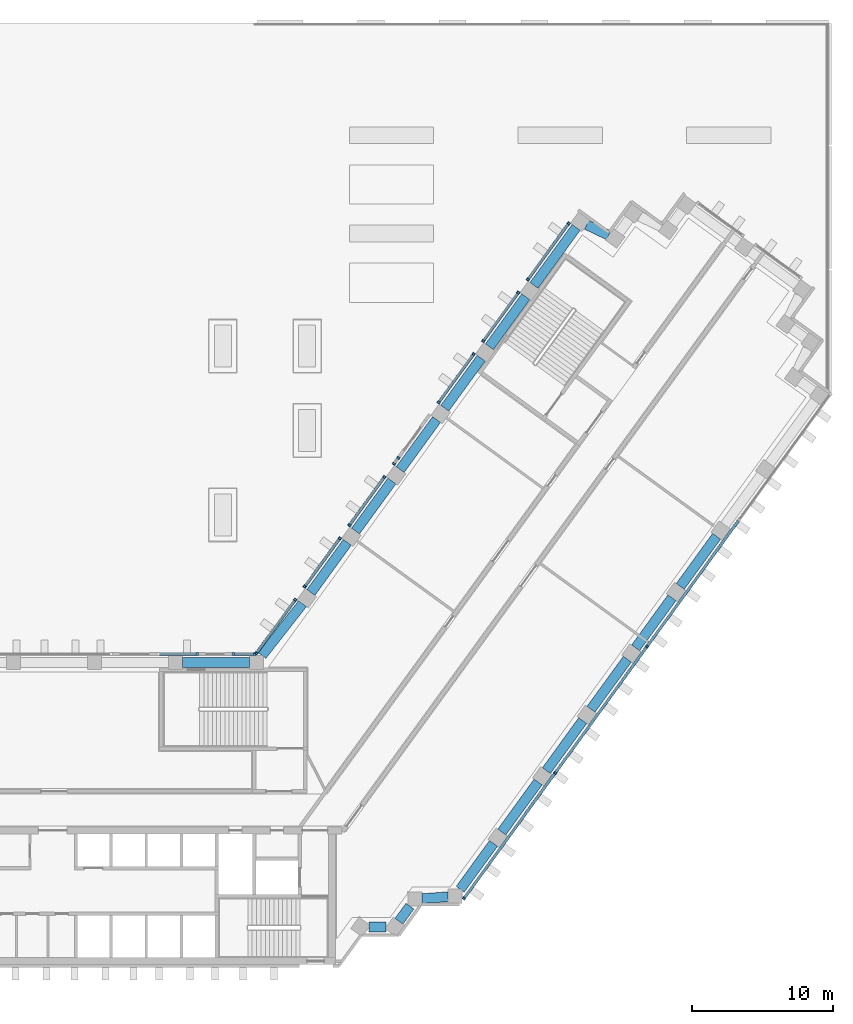
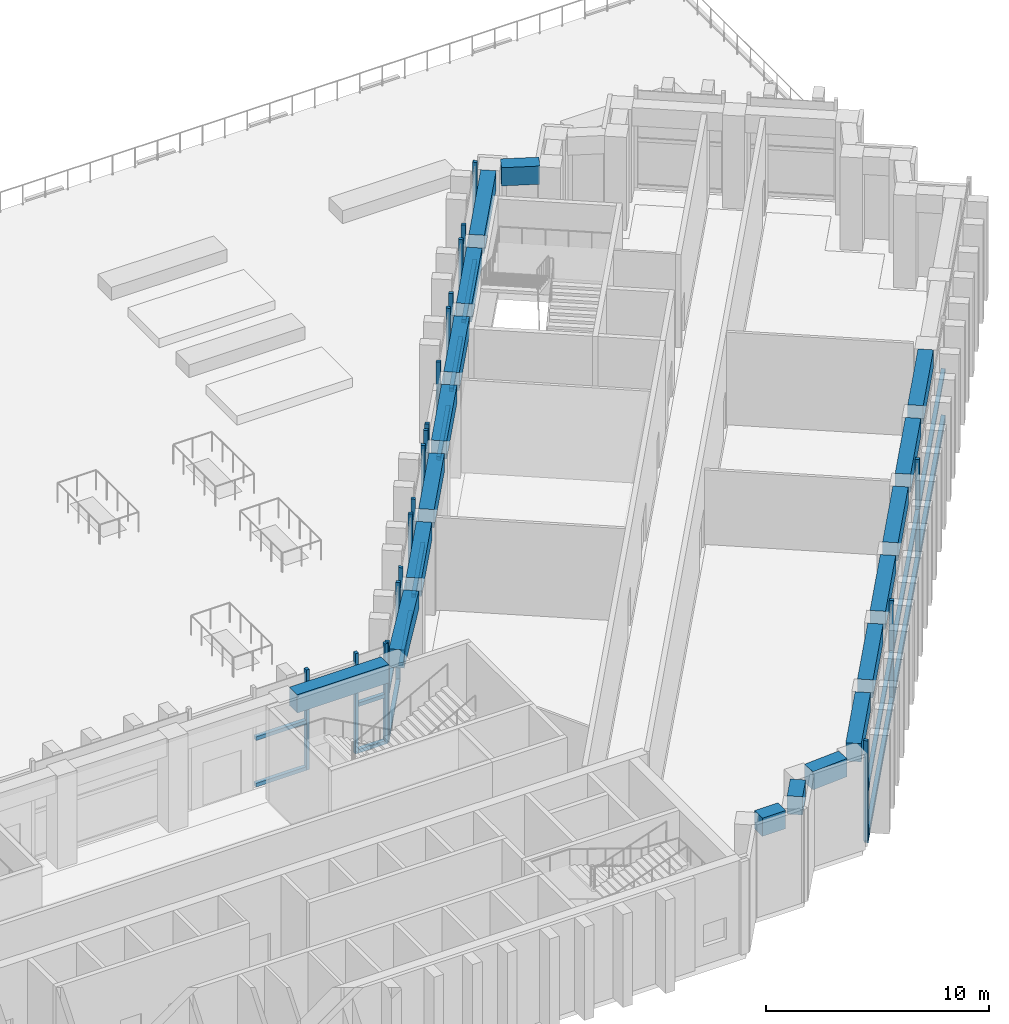
"""IFC4 building model written with IfcOpenShell, lengths in metres."""

from ifc_helpers import new_model, si_unit, direction, frame, origin, origin_2d, place, context, subcontext, project, spatial, rectangle, extrude, material, material_profile, profile_set, type_object, element, aggregate, save


model = new_model("IFC4")

# Units and contexts
model_context = context("Model", 3, precision=1e-05, world=origin(), true_north=direction((0.0, 1.0)))
body_context = subcontext(model_context, "Body", "Model", "MODEL_VIEW")
ifc_project = project(units=[si_unit("LENGTHUNIT", "METRE"), si_unit("AREAUNIT", "SQUARE_METRE"), si_unit("VOLUMEUNIT", "CUBIC_METRE"), si_unit("PLANEANGLEUNIT", "RADIAN"), si_unit("MASSUNIT", "GRAM", prefix="KILO")], contexts=[model_context])

# Site, building, storey
site_placement = place(None, origin())
site = spatial("IfcSite", under=ifc_project, at=site_placement, CompositionType="ELEMENT")
building_placement = place(site_placement, origin())
building = spatial("IfcBuilding", under=site, at=building_placement, Name="Quipu Civic Tower", CompositionType="ELEMENT")
storey_1_placement = place(building_placement, frame((0.0, 0.0, 6.0)))
storey_1 = spatial("IfcBuildingStorey", under=building, at=storey_1_placement, Name="L01", CompositionType="ELEMENT", Elevation=6.0)

# Curtain wall, members
ifc_material_1 = material(Name="Insulated glass unit", Category="glass")
curtain_wall_type_1 = type_object("IfcCurtainWallType", Name="Council chamber curtain wall CW4", PredefinedType="NOTDEFINED", material=ifc_material_1)
curtain_wall_1_placement = place(storey_1_placement, origin())
curtain_wall_1 = element("IfcCurtainWall", 1, at=curtain_wall_1_placement, inside=storey_1, type_object=curtain_wall_type_1, Name="Council chamber curtain wall CW4 L01 run 34", PredefinedType="NOTDEFINED")
ifc_material_2 = material(Name="Anodised aluminium", Category="aluminium")
ifc_material_profile_1 = material_profile(ifc_material_2, rectangle(XDim=0.199951171875, YDim=0.159912109375, at=origin_2d()), Name="RECT 200x160")
ifc_profile_set_1 = profile_set([ifc_material_profile_1], Name="Anodised aluminium")
member_type_1 = type_object("IfcMemberType", Name="Mullion CW4", PredefinedType="MULLION", material=ifc_profile_set_1)
member_1_placement = place(storey_1_placement, frame((29.15283203125, -6.28662109375, 0.10009765625), z_axis=(0.0, 0.0, 1.0), x_axis=(-0.809016918788, 0.587785356329, 0.0)))
member_1 = element("IfcMember", 2, at=member_1_placement, type_object=member_type_1, Name="CW4 mullion 1", PredefinedType="MULLION", context=body_context, shape_type="SweptSolid", body=[
    extrude(rectangle(XDim=0.199951171875, YDim=0.159912109375, at=origin_2d()), origin(), (0.0, 0.0, 1.0), 5.5),
])
member_2_placement = place(storey_1_placement, frame((35.64306640625, 2.646240234375, 0.10009765625), z_axis=(0.0, 0.0, 1.0), x_axis=(-0.809016918788, 0.587785356329, 0.0)))
member_2 = element("IfcMember", 3, at=member_2_placement, type_object=member_type_1, Name="CW4 mullion 2", PredefinedType="MULLION", context=body_context, shape_type="SweptSolid", body=[
    extrude(rectangle(XDim=0.199951171875, YDim=0.159912109375, at=origin_2d()), origin(), (0.0, 0.0, 1.0), 5.5),
])
member_3_placement = place(storey_1_placement, frame((42.179931640625, 11.6435546875, 0.10009765625), z_axis=(0.0, 0.0, 1.0), x_axis=(-0.809016918788, 0.587785356329, 0.0)))
member_3 = element("IfcMember", 4, at=member_3_placement, type_object=member_type_1, Name="CW4 mullion 3", PredefinedType="MULLION", context=body_context, shape_type="SweptSolid", body=[
    extrude(rectangle(XDim=0.199951171875, YDim=0.159912109375, at=origin_2d()), origin(), (0.0, 0.0, 1.0), 5.5),
])

curtain_wall_2_placement = place(storey_1_placement, origin())
curtain_wall_2 = element("IfcCurtainWall", 5, at=curtain_wall_2_placement, inside=storey_1, type_object=curtain_wall_type_1, Name="Council chamber curtain wall CW4 L01 run 45", PredefinedType="NOTDEFINED")
member_4_placement = place(storey_1_placement, frame((36.60009765625, 41.732421875, 0.10009765625), z_axis=(0.0, 0.0, 1.0), x_axis=(0.809018644949, -0.587782980465, 0.0)))
member_4 = element("IfcMember", 6, at=member_4_placement, type_object=member_type_1, Name="CW4 mullion 1", PredefinedType="MULLION", context=body_context, shape_type="SweptSolid", body=[
    extrude(rectangle(XDim=0.199951171875, YDim=0.159912109375, at=origin_2d()), origin(), (0.0, 0.0, 1.0), 5.5),
])
member_5_placement = place(storey_1_placement, frame((33.699462890625, 37.740234375, 0.10009765625), z_axis=(0.0, 0.0, 1.0), x_axis=(0.809018644949, -0.587782980465, 0.0)))
member_5 = element("IfcMember", 7, at=member_5_placement, type_object=member_type_1, Name="CW4 mullion 2", PredefinedType="MULLION", context=body_context, shape_type="SweptSolid", body=[
    extrude(rectangle(XDim=0.199951171875, YDim=0.159912109375, at=origin_2d()), origin(), (0.0, 0.0, 1.0), 5.5),
])

curtain_wall_3_placement = place(storey_1_placement, origin())
curtain_wall_3 = element("IfcCurtainWall", 8, at=curtain_wall_3_placement, inside=storey_1, type_object=curtain_wall_type_1, Name="Council chamber curtain wall CW4 L01 run 46", PredefinedType="NOTDEFINED")
member_6_placement = place(storey_1_placement, frame((33.017578125, 36.8017578125, 0.10009765625), z_axis=(0.0, 0.0, 1.0), x_axis=(0.809014123608, -0.587789203544, 0.0)))
member_6 = element("IfcMember", 9, at=member_6_placement, type_object=member_type_1, Name="CW4 mullion 1", PredefinedType="MULLION", context=body_context, shape_type="SweptSolid", body=[
    extrude(rectangle(XDim=0.199951171875, YDim=0.159912109375, at=origin_2d()), origin(), (0.0, 0.0, 1.0), 5.5),
])
member_7_placement = place(storey_1_placement, frame((30.525390625, 33.37158203125, 0.10009765625), z_axis=(0.0, 0.0, 1.0), x_axis=(0.809014123608, -0.587789203544, 0.0)))
member_7 = element("IfcMember", 10, at=member_7_placement, type_object=member_type_1, Name="CW4 mullion 2", PredefinedType="MULLION", context=body_context, shape_type="SweptSolid", body=[
    extrude(rectangle(XDim=0.199951171875, YDim=0.159912109375, at=origin_2d()), origin(), (0.0, 0.0, 1.0), 5.5),
])

curtain_wall_4_placement = place(storey_1_placement, origin())
curtain_wall_4 = element("IfcCurtainWall", 11, at=curtain_wall_4_placement, inside=storey_1, type_object=curtain_wall_type_1, Name="Council chamber curtain wall CW4 L01 run 47", PredefinedType="NOTDEFINED")
member_8_placement = place(storey_1_placement, frame((29.843505859375, 32.43310546875, 0.10009765625), z_axis=(0.0, 0.0, 1.0), x_axis=(0.809017078969, -0.587785135859, 0.0)))
member_8 = element("IfcMember", 12, at=member_8_placement, type_object=member_type_1, Name="CW4 mullion 1", PredefinedType="MULLION", context=body_context, shape_type="SweptSolid", body=[
    extrude(rectangle(XDim=0.199951171875, YDim=0.159912109375, at=origin_2d()), origin(), (0.0, 0.0, 1.0), 5.5),
])
member_9_placement = place(storey_1_placement, frame((27.351318359375, 29.0029296875, 0.10009765625), z_axis=(0.0, 0.0, 1.0), x_axis=(0.809017078969, -0.587785135859, 0.0)))
member_9 = element("IfcMember", 13, at=member_9_placement, type_object=member_type_1, Name="CW4 mullion 2", PredefinedType="MULLION", context=body_context, shape_type="SweptSolid", body=[
    extrude(rectangle(XDim=0.199951171875, YDim=0.159912109375, at=origin_2d()), origin(), (0.0, 0.0, 1.0), 5.5),
])

curtain_wall_5_placement = place(storey_1_placement, origin())
curtain_wall_5 = element("IfcCurtainWall", 14, at=curtain_wall_5_placement, inside=storey_1, type_object=curtain_wall_type_1, Name="Council chamber curtain wall CW4 L01 run 50", PredefinedType="NOTDEFINED")
member_10_placement = place(storey_1_placement, frame((24.478271484375, 25.048583984375, 0.10009765625), z_axis=(0.0, 0.0, 1.0), x_axis=(0.809012627105, -0.587791263278, 0.0)))
member_10 = element("IfcMember", 15, at=member_10_placement, type_object=member_type_1, Name="CW4 mullion 1", PredefinedType="MULLION", context=body_context, shape_type="SweptSolid", body=[
    extrude(rectangle(XDim=0.199951171875, YDim=0.159912109375, at=origin_2d()), origin(), (0.0, 0.0, 1.0), 5.5),
])
member_11_placement = place(storey_1_placement, frame((24.17724609375, 24.634033203125, 0.10009765625), z_axis=(0.0, 0.0, 1.0), x_axis=(0.809012627105, -0.587791263278, 0.0)))
member_11 = element("IfcMember", 16, at=member_11_placement, type_object=member_type_1, Name="CW4 mullion 2", PredefinedType="MULLION", context=body_context, shape_type="SweptSolid", body=[
    extrude(rectangle(XDim=0.199951171875, YDim=0.159912109375, at=origin_2d()), origin(), (0.0, 0.0, 1.0), 5.5),
])
aggregate(curtain_wall_5, [member_10, member_11])

curtain_wall_6_placement = place(storey_1_placement, origin())
curtain_wall_6 = element("IfcCurtainWall", 17, at=curtain_wall_6_placement, inside=storey_1, type_object=curtain_wall_type_1, Name="Council chamber curtain wall CW4 L01 run 51", PredefinedType="NOTDEFINED")
member_12_placement = place(storey_1_placement, frame((23.495361328125, 23.695556640625, 0.10009765625), z_axis=(0.0, 0.0, 1.0), x_axis=(0.809024930992, -0.587774328321, 0.0)))
member_12 = element("IfcMember", 18, at=member_12_placement, type_object=member_type_1, Name="CW4 mullion 1", PredefinedType="MULLION", context=body_context, shape_type="SweptSolid", body=[
    extrude(rectangle(XDim=0.199951171875, YDim=0.159912109375, at=origin_2d()), origin(), (0.0, 0.0, 1.0), 5.5),
])
member_13_placement = place(storey_1_placement, frame((21.00341796875, 20.265380859375, 0.10009765625), z_axis=(0.0, 0.0, 1.0), x_axis=(0.809024930992, -0.587774328321, 0.0)))
member_13 = element("IfcMember", 19, at=member_13_placement, type_object=member_type_1, Name="CW4 mullion 2", PredefinedType="MULLION", context=body_context, shape_type="SweptSolid", body=[
    extrude(rectangle(XDim=0.199951171875, YDim=0.159912109375, at=origin_2d()), origin(), (0.0, 0.0, 1.0), 5.5),
])

curtain_wall_7_placement = place(storey_1_placement, origin())
curtain_wall_7 = element("IfcCurtainWall", 20, at=curtain_wall_7_placement, inside=storey_1, type_object=curtain_wall_type_1, Name="Council chamber curtain wall CW4 L01 run 52", PredefinedType="NOTDEFINED")
member_14_placement = place(storey_1_placement, frame((20.321533203125, 19.326904296875, 0.10009765625), z_axis=(0.0, 0.0, 1.0), x_axis=(0.809006271283, -0.587800011079, 0.0)))
member_14 = element("IfcMember", 21, at=member_14_placement, type_object=member_type_1, Name="CW4 mullion 1", PredefinedType="MULLION", context=body_context, shape_type="SweptSolid", body=[
    extrude(rectangle(XDim=0.199951171875, YDim=0.159912109375, at=origin_2d()), origin(), (0.0, 0.0, 1.0), 5.5),
])
member_15_placement = place(storey_1_placement, frame((17.829345703125, 15.896728515625, 0.10009765625), z_axis=(0.0, 0.0, 1.0), x_axis=(0.809006271283, -0.587800011079, 0.0)))
member_15 = element("IfcMember", 22, at=member_15_placement, type_object=member_type_1, Name="CW4 mullion 2", PredefinedType="MULLION", context=body_context, shape_type="SweptSolid", body=[
    extrude(rectangle(XDim=0.199951171875, YDim=0.159912109375, at=origin_2d()), origin(), (0.0, 0.0, 1.0), 5.5),
])

curtain_wall_8_placement = place(storey_1_placement, origin())
curtain_wall_8 = element("IfcCurtainWall", 23, at=curtain_wall_8_placement, inside=storey_1, type_object=curtain_wall_type_1, Name="Council chamber curtain wall CW4 L01 run 53", PredefinedType="NOTDEFINED")
member_16_placement = place(storey_1_placement, frame((17.1474609375, 14.958251953125, 0.10009765625), z_axis=(0.0, 0.0, 1.0), x_axis=(0.809009770629, -0.587795194797, 0.0)))
member_16 = element("IfcMember", 24, at=member_16_placement, type_object=member_type_1, Name="CW4 mullion 1", PredefinedType="MULLION", context=body_context, shape_type="SweptSolid", body=[
    extrude(rectangle(XDim=0.199951171875, YDim=0.159912109375, at=origin_2d()), origin(), (0.0, 0.0, 1.0), 5.5),
])
member_17_placement = place(storey_1_placement, frame((14.39111328125, 11.164794921875, 0.10009765625), z_axis=(0.0, 0.0, 1.0), x_axis=(0.809009770629, -0.587795194797, 0.0)))
member_17 = element("IfcMember", 25, at=member_17_placement, type_object=member_type_1, Name="CW4 mullion 2", PredefinedType="MULLION", context=body_context, shape_type="SweptSolid", body=[
    extrude(rectangle(XDim=0.199951171875, YDim=0.159912109375, at=origin_2d()), origin(), (0.0, 0.0, 1.0), 5.5),
])

curtain_wall_9_placement = place(storey_1_placement, origin())
curtain_wall_9 = element("IfcCurtainWall", 26, at=curtain_wall_9_placement, inside=storey_1, type_object=curtain_wall_type_1, Name="Council chamber curtain wall CW4 L01 run 54", PredefinedType="NOTDEFINED")
member_18_placement = place(storey_1_placement, frame((14.26416015625, 11.10009765625, 0.10009765625), z_axis=(0.0, 0.0, 1.0), x_axis=(0.0, -1.0, 0.0)))
member_18 = element("IfcMember", 27, at=member_18_placement, type_object=member_type_1, Name="CW4 mullion 1", PredefinedType="MULLION", context=body_context, shape_type="SweptSolid", body=[
    extrude(rectangle(XDim=0.199951171875, YDim=0.159912109375, at=origin_2d()), origin(), (0.0, 0.0, 1.0), 5.5),
])
member_19_placement = place(storey_1_placement, frame((12.735107421875, 11.10009765625, 0.10009765625), z_axis=(0.0, 0.0, 1.0), x_axis=(0.0, -1.0, 0.0)))
member_19 = element("IfcMember", 28, at=member_19_placement, type_object=member_type_1, Name="CW4 mullion 2", PredefinedType="MULLION", context=body_context, shape_type="SweptSolid", body=[
    extrude(rectangle(XDim=0.199951171875, YDim=0.159912109375, at=origin_2d()), origin(), (0.0, 0.0, 1.0), 5.5),
])

# Curtain wall, member
curtain_wall_10_placement = place(storey_1_placement, origin())
curtain_wall_10 = element("IfcCurtainWall", 29, at=curtain_wall_10_placement, inside=storey_1, type_object=curtain_wall_type_1, Name="Council chamber curtain wall CW4 L01 run 56", PredefinedType="NOTDEFINED")
member_20_placement = place(storey_1_placement, frame((10.18359375, 11.10009765625, 0.10009765625), z_axis=(0.0, 0.0, 1.0), x_axis=(0.0, -1.0, 0.0)))
member_20 = element("IfcMember", 30, at=member_20_placement, type_object=member_type_1, Name="CW4 mullion 1", PredefinedType="MULLION", context=body_context, shape_type="SweptSolid", body=[
    extrude(rectangle(XDim=0.199951171875, YDim=0.159912109375, at=origin_2d()), origin(), (0.0, 0.0, 1.0), 5.5),
])

# Beams
ifc_material_3 = material(Name="Concrete C50/60", Category="concrete")
ifc_material_profile_2 = material_profile(ifc_material_3, rectangle(XDim=0.699951171875, YDim=1.0, at=origin_2d()), Name="RC700x1000")
ifc_profile_set_2 = profile_set([ifc_material_profile_2], Name="Concrete C50/60")
beam_type = type_object("IfcBeamType", Name="Spandrel beam RC 700x1000 C50/60", PredefinedType="SPANDREL", material=ifc_profile_set_2)
beam_1_placement = place(storey_1_placement, frame((22.409912109375, -8.31494140625, 4.60009765625), z_axis=(1.0, 0.0, 0.0), x_axis=(0.0, 1.0, 0.0)))
element("IfcBeam", 31, at=beam_1_placement, inside=storey_1, type_object=beam_type, Name="Spandrel beam L01 J-Eo.1 to J-Eo.2", PredefinedType="SPANDREL", context=body_context, shape_type="SweptSolid", body=[
    extrude(rectangle(XDim=0.699951171875, YDim=1.0, at=origin_2d()), origin(), (0.0, 0.0, 1.0), 1.20703125),
])
beam_2_placement = place(storey_1_placement, frame((24.529296875, -7.91064453125, 4.60009765625), z_axis=(0.588346597772, 0.808608855313, 0.0), x_axis=(-0.808608855313, 0.588346597772, 0.0)))
element("IfcBeam", 32, at=beam_2_placement, inside=storey_1, type_object=beam_type, Name="Spandrel beam L01 J-Eo.2 to J-Eo.3", PredefinedType="SPANDREL", context=body_context, shape_type="SweptSolid", body=[
    extrude(rectangle(XDim=0.699951171875, YDim=1.0, at=origin_2d()), origin(), (0.0, 0.0, 1.0), 1.327880859375),
])
beam_3_placement = place(storey_1_placement, frame((26.17431640625, -6.30078125, 4.60009765625), z_axis=(0.997368412419, 0.072499999372, 0.0), x_axis=(-0.072499999372, 0.997368412419, 0.0)))
element("IfcBeam", 33, at=beam_3_placement, inside=storey_1, type_object=beam_type, Name="Spandrel beam L01 J-Eo.3 to J-Eo.4", PredefinedType="SPANDREL", context=body_context, shape_type="SweptSolid", body=[
    extrude(rectangle(XDim=0.699951171875, YDim=1.0, at=origin_2d()), origin(), (0.0, 0.0, 1.0), 1.85546875),
])
beam_4_placement = place(storey_1_placement, frame((28.88818359375, -5.6298828125, 4.60009765625), z_axis=(0.587811022966, 0.808998270258, 0.0), x_axis=(-0.808998270258, 0.587811022966, 0.0)))
element("IfcBeam", 34, at=beam_4_placement, inside=storey_1, type_object=beam_type, Name="Spandrel beam L01 J-Eo.4 to E-OUT-01", PredefinedType="SPANDREL", context=body_context, shape_type="SweptSolid", body=[
    extrude(rectangle(XDim=0.699951171875, YDim=1.0, at=origin_2d()), origin(), (0.0, 0.0, 1.0), 4.025390625),
])
for number, where, z_axis, x_axis, name in (
    (35, (31.84228515625, -1.564208984375, 4.60009765625), (0.587759228046, 0.809035901457, 0.0), (-0.809035901457, 0.587759228046, 0.0), "Spandrel beam L01 E-OUT-01 to E-OUT-02"),
    (36, (35.01611328125, 2.804443359375, 4.60009765625), (0.587759228046, 0.809035901457, 0.0), (-0.809035901457, 0.587759228046, 0.0), "Spandrel beam L01 E-OUT-02 to E-OUT-03"),
    (37, (38.190185546875, 7.173095703125, 4.60009765625), (0.58779554378, 0.809009517072, 0.0), (-0.809009517072, 0.58779554378, 0.0), "Spandrel beam L01 E-OUT-03 to E-OUT-04"),
    (38, (41.3642578125, 11.5419921875, 4.60009765625), (0.587759228046, 0.809035901457, 0.0), (-0.809035901457, 0.587759228046, 0.0), "Spandrel beam L01 E-OUT-04 to E-OUT-05"),
):
    element("IfcBeam", number, at=place(storey_1_placement, frame(where, z_axis=z_axis, x_axis=x_axis)), inside=storey_1, type_object=beam_type, Name=name, PredefinedType="SPANDREL", context=body_context, shape_type="SweptSolid", body=[
        extrude(rectangle(XDim=0.699951171875, YDim=1.0, at=origin_2d()), origin(), (0.0, 0.0, 1.0), 4.400146484375),
    ])
beam_5_placement = place(storey_1_placement, frame((44.538330078125, 15.91064453125, 4.60009765625), z_axis=(0.587785613349, 0.809016732052, 0.0), x_axis=(-0.809016732052, 0.587785613349, 0.0)))
element("IfcBeam", 39, at=beam_5_placement, inside=storey_1, type_object=beam_type, Name="Spandrel beam L01 E-OUT-05 to E-OUT-06", PredefinedType="SPANDREL", context=body_context, shape_type="SweptSolid", body=[
    extrude(rectangle(XDim=0.699951171875, YDim=1.0, at=origin_2d()), origin(), (0.0, 0.0, 1.0), 4.39990234375),
])
beam_6_placement = place(storey_1_placement, frame((39.446533203125, 40.885009765625, 4.60009765625), z_axis=(-0.902482283387, 0.43072697637, 0.0), x_axis=(-0.43072697637, -0.902482283387, 0.0)))
element("IfcBeam", 40, at=beam_6_placement, inside=storey_1, type_object=beam_type, Name="Spandrel beam L01 T-Ei.3-E50 to T-Ei.4-E50", PredefinedType="SPANDREL", context=body_context, shape_type="SweptSolid", body=[
    extrude(rectangle(XDim=0.699951171875, YDim=1.0, at=origin_2d()), origin(), (0.0, 0.0, 1.0), 1.731689453125),
])
beam_7_placement = place(storey_1_placement, frame((37.131103515625, 41.445556640625, 4.60009765625), z_axis=(-0.587747065363, -0.809044737426, 0.0), x_axis=(0.809044737426, -0.587747065363, 0.0)))
element("IfcBeam", 41, at=beam_7_placement, inside=storey_1, type_object=beam_type, Name="Spandrel beam L01 T-Ei.4-E50 to E-IN-06", PredefinedType="SPANDREL", context=body_context, shape_type="SweptSolid", body=[
    extrude(rectangle(XDim=0.699951171875, YDim=1.0, at=origin_2d()), origin(), (0.0, 0.0, 1.0), 5.0947265625),
])
for number, where, z_axis, x_axis, name in (
    (42, (33.549072265625, 36.5146484375, 4.60009765625), (-0.587759228046, -0.809035901457, 0.0), (0.809035901457, -0.587759228046, 0.0), "Spandrel beam L01 E-IN-06 to E-IN-05"),
    (43, (30.375244140625, 32.145751953125, 4.60009765625), (-0.587759228046, -0.809035901457, 0.0), (0.809035901457, -0.587759228046, 0.0), "Spandrel beam L01 E-IN-05 to E-IN-04"),
    (44, (27.201416015625, 27.777099609375, 4.60009765625), (-0.587732844487, -0.809055068281, 0.0), (0.809055068281, -0.587732844487, 0.0), "Spandrel beam L01 E-IN-04 to E-IN-03"),
    (45, (24.02734375, 23.408203125, 4.60009765625), (-0.587759228046, -0.809035901457, 0.0), (0.809035901457, -0.587759228046, 0.0), "Spandrel beam L01 E-IN-03 to E-IN-02"),
):
    element("IfcBeam", number, at=place(storey_1_placement, frame(where, z_axis=z_axis, x_axis=x_axis)), inside=storey_1, type_object=beam_type, Name=name, PredefinedType="SPANDREL", context=body_context, shape_type="SweptSolid", body=[
        extrude(rectangle(XDim=0.699951171875, YDim=1.0, at=origin_2d()), origin(), (0.0, 0.0, 1.0), 4.400146484375),
    ])
beam_8_placement = place(storey_1_placement, frame((20.853515625, 19.039306640625, 4.60009765625), z_axis=(-0.587722908759, -0.809062285934, 0.0), x_axis=(0.809062285934, -0.587722908759, 0.0)))
element("IfcBeam", 46, at=beam_8_placement, inside=storey_1, type_object=beam_type, Name="Spandrel beam L01 E-IN-02 to E-IN-01", PredefinedType="SPANDREL", context=body_context, shape_type="SweptSolid", body=[
    extrude(rectangle(XDim=0.699951171875, YDim=1.0, at=origin_2d()), origin(), (0.0, 0.0, 1.0), 4.39990234375),
])
beam_9_placement = place(storey_1_placement, frame((17.665283203125, 14.680908203125, 4.60009765625), z_axis=(-0.616068753057, -0.787692383806, 0.0), x_axis=(0.787692383806, -0.616068753057, 0.0)))
element("IfcBeam", 47, at=beam_9_placement, inside=storey_1, type_object=beam_type, Name="Spandrel beam L01 E-IN-01 to J-Ei.0", PredefinedType="SPANDREL", context=body_context, shape_type="SweptSolid", body=[
    extrude(rectangle(XDim=0.699951171875, YDim=1.0, at=origin_2d()), origin(), (0.0, 0.0, 1.0), 4.673095703125),
])
beam_10_placement = place(storey_1_placement, frame((13.895263671875, 10.5, 4.60009765625), z_axis=(-1.0, 0.0, 0.0), x_axis=(0.0, -1.0, 0.0)))
element("IfcBeam", 48, at=beam_10_placement, inside=storey_1, type_object=beam_type, Name="Spandrel beam L01 J-Ei.0 to FRONT-01", PredefinedType="SPANDREL", context=body_context, shape_type="SweptSolid", body=[
    extrude(rectangle(XDim=0.699951171875, YDim=1.0, at=origin_2d()), origin(), (0.0, 0.0, 1.0), 4.758056640625),
])

# Storey
storey_2_placement = place(building_placement, origin())
storey_2 = spatial("IfcBuildingStorey", under=building, at=storey_2_placement, Name="L00", CompositionType="ELEMENT", Elevation=0.0)

# Curtain wall, members
ifc_material_4 = material(Name="Insulated glass unit", Category="glass")
curtain_wall_type_2 = type_object("IfcCurtainWallType", Name="Hall glazing CW2", PredefinedType="NOTDEFINED", material=ifc_material_4)
curtain_wall_11_placement = place(storey_2_placement, origin())
curtain_wall_11 = element("IfcCurtainWall", 49, at=curtain_wall_11_placement, inside=storey_2, type_object=curtain_wall_type_2, Name="Hall glazing CW2 L00 run 1", PredefinedType="NOTDEFINED")
ifc_material_5 = material(Name="Anodised aluminium", Category="aluminium")
ifc_material_profile_3 = material_profile(ifc_material_5, rectangle(XDim=0.199951171875, YDim=0.179931640625, at=origin_2d()), Name="RECT 200x180")
ifc_profile_set_3 = profile_set([ifc_material_profile_3], Name="Anodised aluminium")
member_type_2 = type_object("IfcMemberType", Name="Transom CW2", PredefinedType="USERDEFINED", material=ifc_profile_set_3)
member_21_placement = place(storey_1_placement, frame((29.188232421875, -6.238037109375, 0.0), z_axis=(0.587789297473, 0.809014055364, 0.0), x_axis=(-0.809014055364, 0.587789297473, 0.0)))
member_21 = element("IfcMember", 50, at=member_21_placement, inside=storey_1, type_object=member_type_2, Name="CW2 transom 1.3", ObjectType="TRANSOM", PredefinedType="USERDEFINED", context=body_context, shape_type="SweptSolid", body=[
    extrude(rectangle(XDim=0.199951171875, YDim=0.179931640625, at=origin_2d()), origin(), (0.0, 0.0, 1.0), 10.896728515625),
])
member_22_placement = place(storey_1_placement, frame((35.675537109375, 2.69091796875, 0.0), z_axis=(0.587781143224, 0.809019979772, 0.0), x_axis=(-0.809019979772, 0.587781143224, 0.0)))
member_22 = element("IfcMember", 51, at=member_22_placement, inside=storey_1, type_object=member_type_2, Name="CW2 transom 2.3", ObjectType="TRANSOM", PredefinedType="USERDEFINED", context=body_context, shape_type="SweptSolid", body=[
    extrude(rectangle(XDim=0.199951171875, YDim=0.179931640625, at=origin_2d()), origin(), (0.0, 0.0, 1.0), 10.966796875),
])
member_23_placement = place(storey_1_placement, frame((42.203857421875, 11.676513671875, 0.0), z_axis=(0.587795713653, 0.809009393648, 0.0), x_axis=(-0.809009393648, 0.587795713653, 0.0)))
member_23 = element("IfcMember", 52, at=member_23_placement, inside=storey_1, type_object=member_type_2, Name="CW2 transom 3.3", ObjectType="TRANSOM", PredefinedType="USERDEFINED", context=body_context, shape_type="SweptSolid", body=[
    extrude(rectangle(XDim=0.199951171875, YDim=0.179931640625, at=origin_2d()), origin(), (0.0, 0.0, 1.0), 10.966796875),
])
aggregate(curtain_wall_11, [member_21, member_22, member_23])

# Member
ifc_material_6 = material(Name="Anodised aluminium", Category="aluminium")
ifc_material_profile_4 = material_profile(ifc_material_6, rectangle(XDim=0.199951171875, YDim=0.199951171875, at=origin_2d()), Name="RECT 200x200")
ifc_profile_set_4 = profile_set([ifc_material_profile_4], Name="Anodised aluminium")
member_type_3 = type_object("IfcMemberType", Name="Transom CW4", PredefinedType="USERDEFINED", material=ifc_profile_set_4)
member_24_placement = place(storey_1_placement, frame((29.199951171875, -6.221923828125, 0.199951171875), z_axis=(0.587779422244, 0.809021230121, 0.0), x_axis=(-0.809021230121, 0.587779422244, 0.0)))
member_24 = element("IfcMember", 53, at=member_24_placement, type_object=member_type_3, Name="CW4 transom 1.1", ObjectType="TRANSOM", PredefinedType="USERDEFINED", context=body_context, shape_type="SweptSolid", body=[
    extrude(rectangle(XDim=0.199951171875, YDim=0.199951171875, at=origin_2d()), origin(), (0.0, 0.0, 1.0), 10.881591796875),
])

member_25_placement = place(storey_1_placement, frame((29.199951171875, -6.221923828125, 2.75), z_axis=(0.587779422244, 0.809021230121, 0.0), x_axis=(-0.809021230121, 0.587779422244, 0.0)))
member_25 = element("IfcMember", 54, at=member_25_placement, type_object=member_type_3, Name="CW4 transom 1.2", ObjectType="TRANSOM", PredefinedType="USERDEFINED", context=body_context, shape_type="SweptSolid", body=[
    extrude(rectangle(XDim=0.199951171875, YDim=0.199951171875, at=origin_2d()), origin(), (0.0, 0.0, 1.0), 10.881591796875),
])

member_26_placement = place(storey_1_placement, frame((35.68994140625, 2.7109375, 0.199951171875), z_axis=(0.587796852452, 0.809008566239, 0.0), x_axis=(-0.809008566239, 0.587796852452, 0.0)))
member_26 = element("IfcMember", 55, at=member_26_placement, type_object=member_type_3, Name="CW4 transom 2.1", ObjectType="TRANSOM", PredefinedType="USERDEFINED", context=body_context, shape_type="SweptSolid", body=[
    extrude(rectangle(XDim=0.199951171875, YDim=0.199951171875, at=origin_2d()), origin(), (0.0, 0.0, 1.0), 10.96142578125),
])

member_27_placement = place(storey_1_placement, frame((35.68994140625, 2.7109375, 2.75), z_axis=(0.587796852452, 0.809008566239, 0.0), x_axis=(-0.809008566239, 0.587796852452, 0.0)))
member_27 = element("IfcMember", 56, at=member_27_placement, type_object=member_type_3, Name="CW4 transom 2.2", ObjectType="TRANSOM", PredefinedType="USERDEFINED", context=body_context, shape_type="SweptSolid", body=[
    extrude(rectangle(XDim=0.199951171875, YDim=0.199951171875, at=origin_2d()), origin(), (0.0, 0.0, 1.0), 10.96142578125),
])

member_28_placement = place(storey_1_placement, frame((42.22705078125, 11.708251953125, 0.199951171875), z_axis=(0.587771683611, 0.809026852425, 0.0), x_axis=(-0.809026852425, 0.587771683611, 0.0)))
member_28 = element("IfcMember", 57, at=member_28_placement, type_object=member_type_3, Name="CW4 transom 3.1", ObjectType="TRANSOM", PredefinedType="USERDEFINED", context=body_context, shape_type="SweptSolid", body=[
    extrude(rectangle(XDim=0.199951171875, YDim=0.199951171875, at=origin_2d()), origin(), (0.0, 0.0, 1.0), 10.96142578125),
])

member_29_placement = place(storey_1_placement, frame((42.22705078125, 11.708251953125, 2.75), z_axis=(0.587771683611, 0.809026852425, 0.0), x_axis=(-0.809026852425, 0.587771683611, 0.0)))
member_29 = element("IfcMember", 58, at=member_29_placement, type_object=member_type_3, Name="CW4 transom 3.2", ObjectType="TRANSOM", PredefinedType="USERDEFINED", context=body_context, shape_type="SweptSolid", body=[
    extrude(rectangle(XDim=0.199951171875, YDim=0.199951171875, at=origin_2d()), origin(), (0.0, 0.0, 1.0), 10.96142578125),
])

aggregate(curtain_wall_1, [member_1, member_2, member_3, member_24, member_25, member_26, member_27, member_28, member_29])

member_30_placement = place(storey_1_placement, frame((36.552978515625, 41.667724609375, 0.199951171875), z_axis=(-0.587773342072, -0.809025647522, 0.0), x_axis=(0.809025647522, -0.587773342072, 0.0)))
member_30 = element("IfcMember", 59, at=member_30_placement, type_object=member_type_3, Name="CW4 transom 1.1", ObjectType="TRANSOM", PredefinedType="USERDEFINED", context=body_context, shape_type="SweptSolid", body=[
    extrude(rectangle(XDim=0.199951171875, YDim=0.199951171875, at=origin_2d()), origin(), (0.0, 0.0, 1.0), 4.774658203125),
])

member_31_placement = place(storey_1_placement, frame((36.552978515625, 41.667724609375, 2.75), z_axis=(-0.587773342072, -0.809025647522, 0.0), x_axis=(0.809025647522, -0.587773342072, 0.0)))
member_31 = element("IfcMember", 60, at=member_31_placement, type_object=member_type_3, Name="CW4 transom 1.2", ObjectType="TRANSOM", PredefinedType="USERDEFINED", context=body_context, shape_type="SweptSolid", body=[
    extrude(rectangle(XDim=0.199951171875, YDim=0.199951171875, at=origin_2d()), origin(), (0.0, 0.0, 1.0), 4.774658203125),
])

aggregate(curtain_wall_2, [member_4, member_5, member_30, member_31])

member_32_placement = place(storey_1_placement, frame((32.970703125, 36.737060546875, 0.199951171875), z_axis=(-0.587790931986, -0.809012867805, 0.0), x_axis=(0.809012867805, -0.587790931986, 0.0)))
member_32 = element("IfcMember", 61, at=member_32_placement, type_object=member_type_3, Name="CW4 transom 1.1", ObjectType="TRANSOM", PredefinedType="USERDEFINED", context=body_context, shape_type="SweptSolid", body=[
    extrude(rectangle(XDim=0.199951171875, YDim=0.199951171875, at=origin_2d()), origin(), (0.0, 0.0, 1.0), 4.080078125),
])

member_33_placement = place(storey_1_placement, frame((32.970703125, 36.737060546875, 2.75), z_axis=(-0.587790931986, -0.809012867805, 0.0), x_axis=(0.809012867805, -0.587790931986, 0.0)))
member_33 = element("IfcMember", 62, at=member_33_placement, type_object=member_type_3, Name="CW4 transom 1.2", ObjectType="TRANSOM", PredefinedType="USERDEFINED", context=body_context, shape_type="SweptSolid", body=[
    extrude(rectangle(XDim=0.199951171875, YDim=0.199951171875, at=origin_2d()), origin(), (0.0, 0.0, 1.0), 4.080078125),
])

aggregate(curtain_wall_3, [member_6, member_7, member_32, member_33])

member_34_placement = place(storey_1_placement, frame((29.796630859375, 32.368408203125, 0.199951171875), z_axis=(-0.587790931986, -0.809012867805, 0.0), x_axis=(0.809012867805, -0.587790931986, 0.0)))
member_34 = element("IfcMember", 63, at=member_34_placement, type_object=member_type_3, Name="CW4 transom 1.1", ObjectType="TRANSOM", PredefinedType="USERDEFINED", context=body_context, shape_type="SweptSolid", body=[
    extrude(rectangle(XDim=0.199951171875, YDim=0.199951171875, at=origin_2d()), origin(), (0.0, 0.0, 1.0), 4.080078125),
])

member_35_placement = place(storey_1_placement, frame((29.796630859375, 32.368408203125, 2.75), z_axis=(-0.587790931986, -0.809012867805, 0.0), x_axis=(0.809012867805, -0.587790931986, 0.0)))
member_35 = element("IfcMember", 64, at=member_35_placement, type_object=member_type_3, Name="CW4 transom 1.2", ObjectType="TRANSOM", PredefinedType="USERDEFINED", context=body_context, shape_type="SweptSolid", body=[
    extrude(rectangle(XDim=0.199951171875, YDim=0.199951171875, at=origin_2d()), origin(), (0.0, 0.0, 1.0), 4.080078125),
])

aggregate(curtain_wall_4, [member_8, member_9, member_34, member_35])

member_36_placement = place(storey_1_placement, frame((23.448486328125, 23.630859375, 0.199951171875), z_axis=(-0.587790931986, -0.809012867805, 0.0), x_axis=(0.809012867805, -0.587790931986, 0.0)))
member_36 = element("IfcMember", 65, at=member_36_placement, type_object=member_type_3, Name="CW4 transom 1.1", ObjectType="TRANSOM", PredefinedType="USERDEFINED", context=body_context, shape_type="SweptSolid", body=[
    extrude(rectangle(XDim=0.199951171875, YDim=0.199951171875, at=origin_2d()), origin(), (0.0, 0.0, 1.0), 4.080078125),
])

member_37_placement = place(storey_1_placement, frame((23.448486328125, 23.630859375, 2.75), z_axis=(-0.587790931986, -0.809012867805, 0.0), x_axis=(0.809012867805, -0.587790931986, 0.0)))
member_37 = element("IfcMember", 66, at=member_37_placement, type_object=member_type_3, Name="CW4 transom 1.2", ObjectType="TRANSOM", PredefinedType="USERDEFINED", context=body_context, shape_type="SweptSolid", body=[
    extrude(rectangle(XDim=0.199951171875, YDim=0.199951171875, at=origin_2d()), origin(), (0.0, 0.0, 1.0), 4.080078125),
])

aggregate(curtain_wall_6, [member_12, member_13, member_36, member_37])

member_38_placement = place(storey_1_placement, frame((20.2744140625, 19.26220703125, 0.199951171875), z_axis=(-0.587790931986, -0.809012867805, 0.0), x_axis=(0.809012867805, -0.587790931986, 0.0)))
member_38 = element("IfcMember", 67, at=member_38_placement, type_object=member_type_3, Name="CW4 transom 1.1", ObjectType="TRANSOM", PredefinedType="USERDEFINED", context=body_context, shape_type="SweptSolid", body=[
    extrude(rectangle(XDim=0.199951171875, YDim=0.199951171875, at=origin_2d()), origin(), (0.0, 0.0, 1.0), 4.080078125),
])

member_39_placement = place(storey_1_placement, frame((20.2744140625, 19.26220703125, 2.75), z_axis=(-0.587790931986, -0.809012867805, 0.0), x_axis=(0.809012867805, -0.587790931986, 0.0)))
member_39 = element("IfcMember", 68, at=member_39_placement, type_object=member_type_3, Name="CW4 transom 1.2", ObjectType="TRANSOM", PredefinedType="USERDEFINED", context=body_context, shape_type="SweptSolid", body=[
    extrude(rectangle(XDim=0.199951171875, YDim=0.199951171875, at=origin_2d()), origin(), (0.0, 0.0, 1.0), 4.080078125),
])

aggregate(curtain_wall_7, [member_14, member_15, member_38, member_39])

member_40_placement = place(storey_1_placement, frame((17.100341796875, 14.8935546875, 0.199951171875), z_axis=(-0.587787007192, -0.809015719363, 0.0), x_axis=(0.809015719363, -0.587787007192, 0.0)))
member_40 = element("IfcMember", 69, at=member_40_placement, type_object=member_type_3, Name="CW4 transom 1.1", ObjectType="TRANSOM", PredefinedType="USERDEFINED", context=body_context, shape_type="SweptSolid", body=[
    extrude(rectangle(XDim=0.199951171875, YDim=0.199951171875, at=origin_2d()), origin(), (0.0, 0.0, 1.0), 4.529052734375),
])

member_41_placement = place(storey_1_placement, frame((17.100341796875, 14.8935546875, 2.75), z_axis=(-0.587787007192, -0.809015719363, 0.0), x_axis=(0.809015719363, -0.587787007192, 0.0)))
member_41 = element("IfcMember", 70, at=member_41_placement, type_object=member_type_3, Name="CW4 transom 1.2", ObjectType="TRANSOM", PredefinedType="USERDEFINED", context=body_context, shape_type="SweptSolid", body=[
    extrude(rectangle(XDim=0.199951171875, YDim=0.199951171875, at=origin_2d()), origin(), (0.0, 0.0, 1.0), 4.529052734375),
])

aggregate(curtain_wall_8, [member_16, member_17, member_40, member_41])

member_42_placement = place(storey_1_placement, frame((14.18408203125, 11.10009765625, 0.199951171875), z_axis=(-1.0, 0.0, 0.0), x_axis=(0.0, -1.0, 0.0)))
member_42 = element("IfcMember", 71, at=member_42_placement, type_object=member_type_3, Name="CW4 transom 1.1", ObjectType="TRANSOM", PredefinedType="USERDEFINED", context=body_context, shape_type="SweptSolid", body=[
    extrude(rectangle(XDim=0.199951171875, YDim=0.199951171875, at=origin_2d()), origin(), (0.0, 0.0, 1.0), 1.369140625),
])

member_43_placement = place(storey_1_placement, frame((14.18408203125, 11.10009765625, 2.75), z_axis=(-1.0, 0.0, 0.0), x_axis=(0.0, -1.0, 0.0)))
member_43 = element("IfcMember", 72, at=member_43_placement, type_object=member_type_3, Name="CW4 transom 1.2", ObjectType="TRANSOM", PredefinedType="USERDEFINED", context=body_context, shape_type="SweptSolid", body=[
    extrude(rectangle(XDim=0.199951171875, YDim=0.199951171875, at=origin_2d()), origin(), (0.0, 0.0, 1.0), 1.369140625),
])

aggregate(curtain_wall_9, [member_18, member_19, member_42, member_43])

member_44_placement = place(storey_1_placement, frame((10.103515625, 11.10009765625, 0.199951171875), z_axis=(-1.0, 0.0, 0.0), x_axis=(0.0, -1.0, 0.0)))
member_44 = element("IfcMember", 73, at=member_44_placement, type_object=member_type_3, Name="CW4 transom 1.1", ObjectType="TRANSOM", PredefinedType="USERDEFINED", context=body_context, shape_type="SweptSolid", body=[
    extrude(rectangle(XDim=0.199951171875, YDim=0.199951171875, at=origin_2d()), origin(), (0.0, 0.0, 1.0), 2.611572265625),
])

member_45_placement = place(storey_1_placement, frame((10.103515625, 11.10009765625, 2.75), z_axis=(-1.0, 0.0, 0.0), x_axis=(0.0, -1.0, 0.0)))
member_45 = element("IfcMember", 74, at=member_45_placement, type_object=member_type_3, Name="CW4 transom 1.2", ObjectType="TRANSOM", PredefinedType="USERDEFINED", context=body_context, shape_type="SweptSolid", body=[
    extrude(rectangle(XDim=0.199951171875, YDim=0.199951171875, at=origin_2d()), origin(), (0.0, 0.0, 1.0), 2.611572265625),
])

aggregate(curtain_wall_10, [member_20, member_44, member_45])

save(model, "model.ifc")
